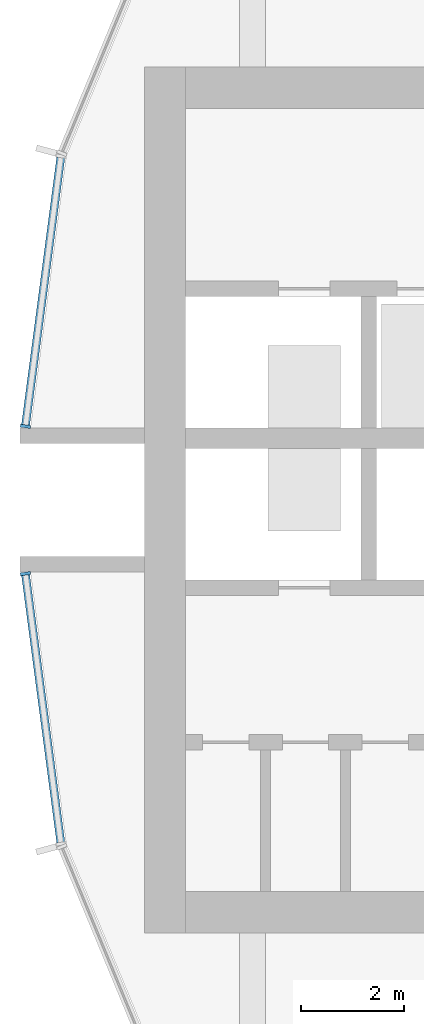
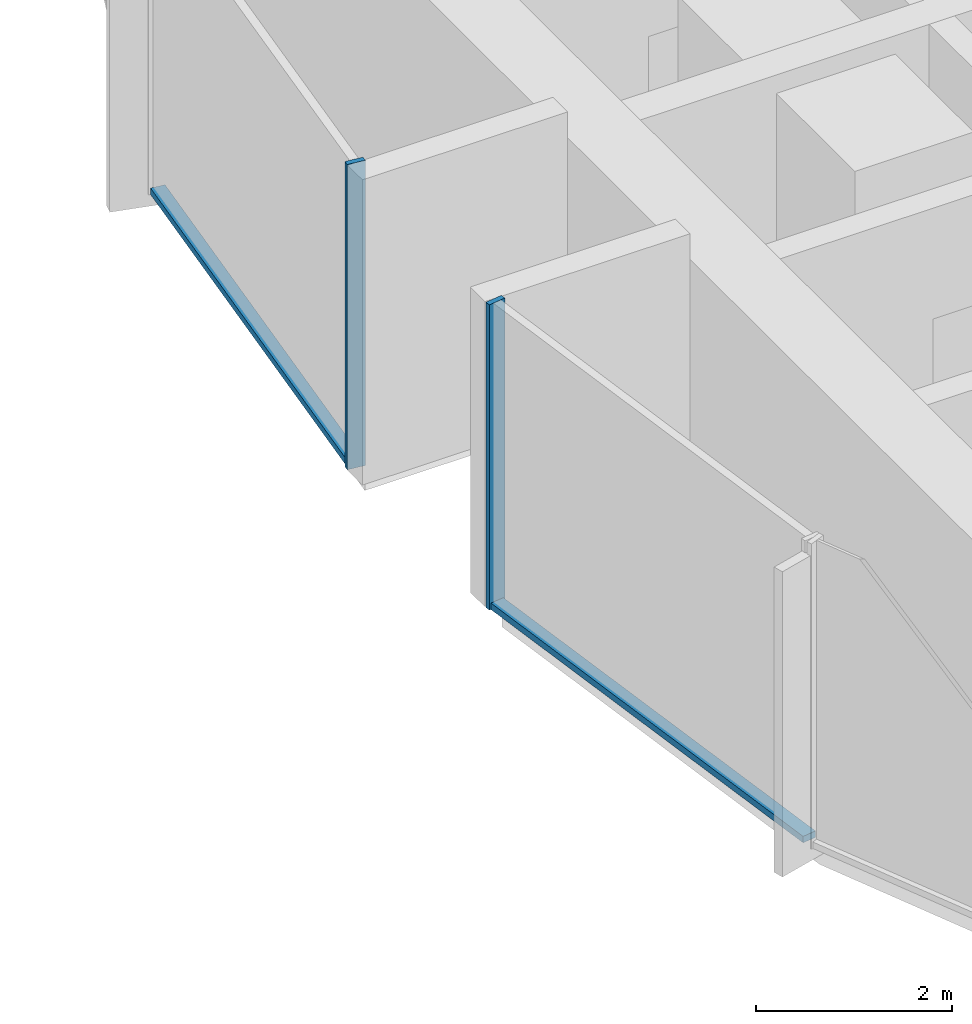
# One storey, part 3 of 15: 4 members, 2 elements without a shape of their own.
"""IFC4 building model written with IfcOpenShell, lengths in metres."""

from ifc_helpers import new_model, si_unit, direction, frame, origin, origin_2d, place, context, subcontext, project, spatial, rectangle, extrude, material, layer, layer_set, material_profile, profile_set, type_object, element, aggregate, save


model = new_model("IFC4")

# Units and contexts
model_context = context("Model", 3, precision=1e-05, world=origin(), true_north=direction((0.0, 1.0)))
body_context = subcontext(model_context, "Body", "Model", "MODEL_VIEW")
ifc_project = project(units=[si_unit("LENGTHUNIT", "METRE"), si_unit("AREAUNIT", "SQUARE_METRE"), si_unit("VOLUMEUNIT", "CUBIC_METRE"), si_unit("PLANEANGLEUNIT", "RADIAN"), si_unit("MASSUNIT", "GRAM", prefix="KILO")], contexts=[model_context])

# Site, building, storey
site_placement = place(None, origin())
site = spatial("IfcSite", under=ifc_project, at=site_placement, CompositionType="ELEMENT")
building_placement = place(site_placement, origin())
building = spatial("IfcBuilding", under=site, at=building_placement, Name="Torre Brocal", CompositionType="ELEMENT")
storey_placement = place(building_placement, frame((0.0, 0.0, 55.39990234375)))
storey = spatial("IfcBuildingStorey", under=building, at=storey_placement, Name="L12", CompositionType="ELEMENT", Elevation=55.39990234375)

# Curtain wall, member
ifc_material_1 = material(Name="Aluminium and glass", Category="aluminium")
ifc_layer = layer(ifc_material_1, 0.199951171875)
ifc_layer_set = layer_set([ifc_layer], Name="Aluminium and glass")
curtain_wall_type = type_object("IfcCurtainWallType", Name="CW-1B CURTAIN WALL 3800 HIGH", PredefinedType="NOTDEFINED", material=ifc_layer_set)
curtain_wall_1_placement = place(storey_placement, origin())
curtain_wall_1 = element("IfcCurtainWall", 1, at=curtain_wall_1_placement, inside=storey, type_object=curtain_wall_type, Name="CW-1B RUN 12", PredefinedType="NOTDEFINED")
ifc_material_2 = material(Name="Aluminium, dark anodised", Category="aluminium")
ifc_material_profile_1 = material_profile(ifc_material_2, rectangle(XDim=0.199951171875, YDim=0.06005859375, at=origin_2d()), Name="CW-1B MULLION 60X200")
ifc_profile_set_1 = profile_set([ifc_material_profile_1], Name="Aluminium, dark anodised")
member_type_1 = type_object("IfcMemberType", Name="CW-1B MULLION 60X200", PredefinedType="MULLION", material=ifc_profile_set_1)
member_1_placement = place(storey_placement, frame((54.2890625, 76.4296875, 0.0), z_axis=(0.0, 0.0, 1.0), x_axis=(0.991444861374, -0.13052619222, 0.0)))
member_1 = element("IfcMember", 2, at=member_1_placement, type_object=member_type_1, Name="CW1B-1 mullion 2", PredefinedType="MULLION", context=body_context, shape_type="SweptSolid", body=[
    extrude(rectangle(XDim=0.199951171875, YDim=0.06005859375, at=origin_2d()), origin(), (0.0, 0.0, 1.0), 3.800048828125),
])

curtain_wall_2_placement = place(storey_placement, origin())
curtain_wall_2 = element("IfcCurtainWall", 3, at=curtain_wall_2_placement, inside=storey, type_object=curtain_wall_type, Name="CW-1B RUN 13", PredefinedType="NOTDEFINED")
member_2_placement = place(storey_placement, frame((54.2890625, 73.5703125, 0.0), z_axis=(0.0, 0.0, 1.0), x_axis=(0.991444861374, 0.13052619222, 0.0)))
member_2 = element("IfcMember", 4, at=member_2_placement, type_object=member_type_1, Name="CW1B-1 mullion 1", PredefinedType="MULLION", context=body_context, shape_type="SweptSolid", body=[
    extrude(rectangle(XDim=0.199951171875, YDim=0.06005859375, at=origin_2d()), origin(), (0.0, 0.0, 1.0), 3.800048828125),
])

# Member
ifc_material_3 = material(Name="Aluminium, dark anodised", Category="aluminium")
ifc_material_profile_2 = material_profile(ifc_material_3, rectangle(XDim=0.159912109375, YDim=0.080078125, at=origin_2d()), Name="CW-1B TRANSOM 160X80")
ifc_profile_set_2 = profile_set([ifc_material_profile_2], Name="Aluminium, dark anodised")
member_type_2 = type_object("IfcMemberType", Name="CW-1B TRANSOM 160X80", PredefinedType="USERDEFINED", material=ifc_profile_set_2)
member_3_placement = place(storey_placement, frame((54.9755859375, 81.643798828125, 0.0400390625), z_axis=(-0.130542677827, -0.991442690863, 0.0), x_axis=(0.991442690863, -0.130542677827, 0.0)))
member_3 = element("IfcMember", 5, at=member_3_placement, type_object=member_type_2, Name="CW1B-1 transom 1.1", ObjectType="TRANSOM", PredefinedType="USERDEFINED", context=body_context, shape_type="SweptSolid", body=[
    extrude(rectangle(XDim=0.159912109375, YDim=0.080078125, at=origin_2d()), origin(), (0.0, 0.0, 1.0), 5.22900390625),
])

aggregate(curtain_wall_1, [member_1, member_3])

member_4_placement = place(storey_placement, frame((54.29296875, 73.54052734375, 0.0400390625), z_axis=(0.130542677827, -0.991442690863, 0.0), x_axis=(0.991442690863, 0.130542677827, 0.0)))
member_4 = element("IfcMember", 6, at=member_4_placement, type_object=member_type_2, Name="CW1B-1 transom 1.1", ObjectType="TRANSOM", PredefinedType="USERDEFINED", context=body_context, shape_type="SweptSolid", body=[
    extrude(rectangle(XDim=0.159912109375, YDim=0.080078125, at=origin_2d()), origin(), (0.0, 0.0, 1.0), 5.22900390625),
])

aggregate(curtain_wall_2, [member_2, member_4])

save(model, "model.ifc")
